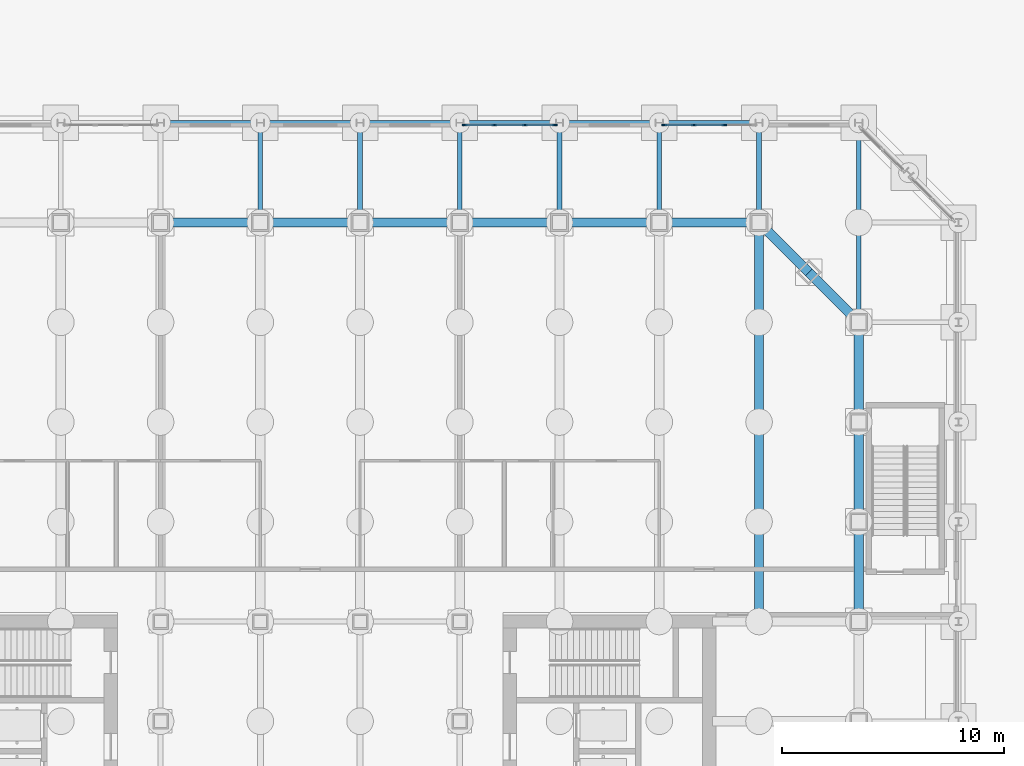
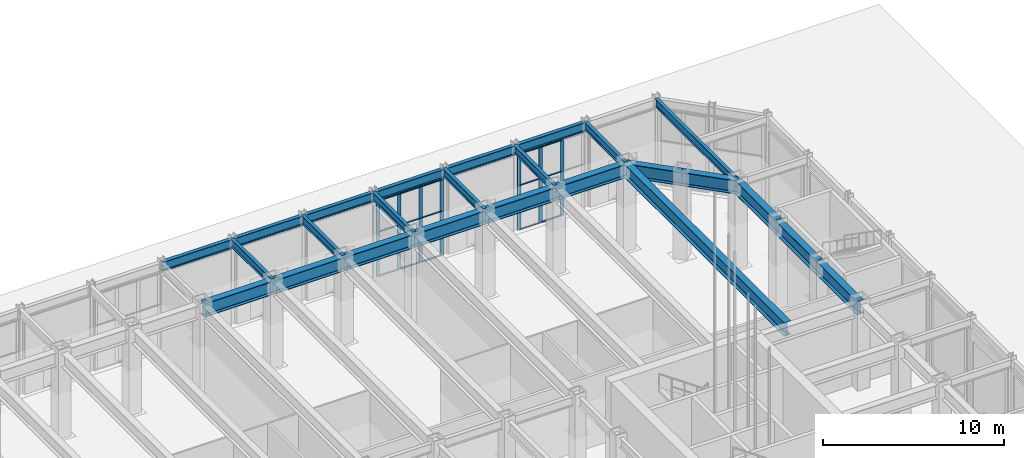
# One storey, part 11 of 39: 25 beams, 22 members, 2 elements without a shape of their own.
"""IFC4 building model written with IfcOpenShell, lengths in metres."""

import ifcopenshell
import ifcopenshell.guid

model = None  # the IFC model being written
_history = None  # IfcOwnerHistory: only IFC2X3 demands one
_inside = {}  # id of a spatial element -> (the spatial element, [elements in it])
_under = {}  # id of a project, library or spatial element -> (it, [spatial elements below it])
_declared = {}  # id of a project -> (the project, [libraries it declares])
_typed = {}  # id of a type object -> (the type object, [elements of that type])
_made_of = {}  # id of a material, layer set ... -> (it, [elements and type objects made of it])


def new_model(schema):
    """Start an empty IFC model of exactly this schema.

    Asked for "IFC4X3", IfcOpenShell would pick the latest addendum, in which some entities
    have other attributes; the version numbers below select the first issue.
    IFC2X3 requires an IfcOwnerHistory on every rooted entity: one is made here for all.
    """
    global model, _history
    if schema == "IFC4X3":
        model = ifcopenshell.file(schema_version=(4, 3, 0, 0))
    else:
        model = ifcopenshell.file(schema=schema)
    _inside.clear()
    _under.clear()
    _declared.clear()
    _typed.clear()
    _made_of.clear()
    _history = None
    if model.schema == "IFC2X3":
        org = make("IfcOrganization", Name="unknown")
        user = make(
            "IfcPersonAndOrganization",
            ThePerson=make("IfcPerson", FamilyName="unknown"),
            TheOrganization=org,
        )
        app = make(
            "IfcApplication",
            ApplicationDeveloper=org,
            Version="unknown",
            ApplicationFullName="unknown",
            ApplicationIdentifier="unknown",
        )
        _history = make(
            "IfcOwnerHistory",
            OwningUser=user,
            OwningApplication=app,
            ChangeAction="ADDED",
            CreationDate=0,
        )
    return model


def make(cls, **values):
    """One entity of the class cls with the attributes given. An attribute that is None is left unset."""
    return model.create_entity(
        cls, **{name: value for name, value in values.items() if value is not None}
    )


def rooted(cls, **values):
    """An entity with a GlobalId (a new one), such as an element, a storey or a relation."""
    return make(cls, GlobalId=ifcopenshell.guid.new(), OwnerHistory=_history, **values)


def si_unit(unit_type, name, prefix=None):
    """IfcSIUnit, for example si_unit("LENGTHUNIT", "METRE", prefix="MILLI")."""
    return make("IfcSIUnit", UnitType=unit_type, Prefix=prefix, Name=name)


def assignment(units):
    """IfcUnitAssignment: the units of a project."""
    return None if units is None else make("IfcUnitAssignment", Units=units)


def point(xyz):
    """IfcCartesianPoint."""
    return None if xyz is None else make("IfcCartesianPoint", Coordinates=xyz)


def direction(xyz):
    """IfcDirection."""
    return None if xyz is None else make("IfcDirection", DirectionRatios=xyz)


def frame(location, z_axis=None, x_axis=None):
    """IfcAxis2Placement3D, a coordinate frame: its origin and axes. An axis left out is left unset."""
    return make(
        "IfcAxis2Placement3D",
        Location=point(location),
        Axis=direction(z_axis),
        RefDirection=direction(x_axis),
    )


def frame_2d(location, x_axis=None):
    """IfcAxis2Placement2D, a coordinate frame in the plane: its origin and x axis."""
    return make(
        "IfcAxis2Placement2D", Location=point(location), RefDirection=direction(x_axis)
    )


def origin():
    """The frame at (0, 0, 0) with its axes left unset."""
    return frame((0.0, 0.0, 0.0))


def origin_2d():
    """The frame at (0, 0) in the plane with its x axis left unset."""
    return frame_2d((0.0, 0.0))


def place(relative_to, where):
    """IfcLocalPlacement: puts the frame where relative to a parent placement (None: the world)."""
    return make(
        "IfcLocalPlacement", PlacementRelTo=relative_to, RelativePlacement=where
    )


def context(
    kind, dimensions, precision=None, world=None, true_north=None, identifier=None
):
    """IfcGeometricRepresentationContext, for example the 3D "Model" context."""
    return make(
        "IfcGeometricRepresentationContext",
        ContextIdentifier=identifier,
        ContextType=kind,
        CoordinateSpaceDimension=dimensions,
        Precision=precision,
        WorldCoordinateSystem=world,
        TrueNorth=true_north,
    )


def subcontext(parent, identifier, kind, view, scale=None):
    """IfcGeometricRepresentationSubContext, for example "Body" below "Model"."""
    return make(
        "IfcGeometricRepresentationSubContext",
        ContextIdentifier=identifier,
        ContextType=kind,
        ParentContext=parent,
        TargetScale=scale,
        TargetView=view,
    )


def project(units=None, contexts=None):
    """IfcProject with its units and contexts."""
    return rooted(
        "IfcProject",
        Name="project",
        RepresentationContexts=contexts,
        UnitsInContext=assignment(units),
    )


def spatial(cls, under=None, at=None, **own):
    """A site, building, storey or space (cls), placed at a placement, below another one or the project."""
    s = rooted(cls, ObjectPlacement=at, **own)
    if under is not None:
        _under.setdefault(under.id(), (under, []))[1].append(s)
    return s


def profile(cls, at=None, kind="AREA", **sizes):
    """A parametric profile (cls). Its sizes go by their IFC names, for example OverallWidth=200.0."""
    return make(cls, ProfileType=kind, Position=at, **sizes)


def rectangle(**sizes):
    """IfcRectangleProfileDef."""
    return profile("IfcRectangleProfileDef", **sizes)


def i_section(**sizes):
    """IfcIShapeProfileDef."""
    return profile("IfcIShapeProfileDef", **sizes)


def extrude(swept, where, along, depth):
    """IfcExtrudedAreaSolid: the profile swept, set in the frame where, extruded along a direction by depth."""
    return make(
        "IfcExtrudedAreaSolid",
        SweptArea=swept,
        Position=where,
        ExtrudedDirection=direction(along),
        Depth=depth,
    )


def shape(context_of_items, identifier, shape_type, items):
    """IfcShapeRepresentation: the items that make up one representation, for example the "Body"."""
    return make(
        "IfcShapeRepresentation",
        ContextOfItems=context_of_items,
        RepresentationIdentifier=identifier,
        RepresentationType=shape_type,
        Items=items,
    )


def material(Name=None, Category=None):
    """IfcMaterial."""
    return make("IfcMaterial", Name=Name, Category=Category)


def material_profile(
    of_material, cross_section, Name=None, Category=None, Priority=None
):
    """IfcMaterialProfile: a cross section and its material."""
    return make(
        "IfcMaterialProfile",
        Name=Name,
        Material=of_material,
        Profile=cross_section,
        Priority=Priority,
        Category=Category,
    )


def profile_set(profiles, Name=None, composite=None):
    """IfcMaterialProfileSet."""
    return make(
        "IfcMaterialProfileSet",
        Name=Name,
        MaterialProfiles=profiles,
        CompositeProfile=composite,
    )


def made_of(thing, what):
    """Note that an element or type object is made of a material, layer set ...; save() writes the relation."""
    if what is not None:
        _made_of.setdefault(what.id(), (what, []))[1].append(thing)
    return thing


def type_object(cls, material=None, **own):
    """A type object (cls), such as IfcWallType, which elements share."""
    return made_of(rooted(cls, **own), material)


def element(
    cls,
    number,
    at=None,
    inside=None,
    cuts=None,
    type_object=None,
    material=None,
    context=None,
    identifier="Body",
    shape_type=None,
    held_by="IfcProductDefinitionShape",
    body=None,
    shapes=None,
    **own,
):
    """One element of the class cls, such as IfcWall. Its Tag is "e" and its number.

    at: its placement. inside: the storey or other place that contains it. cuts: it is an
    opening in that element (IfcRelVoidsElement). A single representation is given by context,
    identifier, shape_type and body (its items); several are given by shapes. held_by: the class
    of the entity that holds the representations. save() writes the other relations.
    """
    e = rooted(cls, Tag="e%d" % number, ObjectPlacement=at, **own)
    if body is not None:
        shapes = [shape(context, identifier, shape_type, body)]
    if shapes is not None:
        e.Representation = make(held_by, Representations=shapes)
    if inside is not None:
        _inside.setdefault(inside.id(), (inside, []))[1].append(e)
    if cuts is not None:
        rooted(
            "IfcRelVoidsElement", RelatingBuildingElement=cuts, RelatedOpeningElement=e
        )
    if type_object is not None:
        _typed.setdefault(type_object.id(), (type_object, []))[1].append(e)
    return made_of(e, material)


def aggregate(whole, parts):
    """IfcRelAggregates: a whole, such as a stair, and the parts it consists of."""
    return rooted("IfcRelAggregates", RelatingObject=whole, RelatedObjects=parts)


def save(model, path):
    """Write the relations noted so far, then the file.

    IfcRelAggregates (storeys below a building ...), IfcRelContainedInSpatialStructure (elements
    in a storey), IfcRelDefinesByType, IfcRelAssociatesMaterial and IfcRelDeclares: one each for
    every whole, place, type object, material and project.
    """
    for whole, parts in _under.values():
        aggregate(whole, parts)
    for where, things in _inside.values():
        rooted(
            "IfcRelContainedInSpatialStructure",
            RelatedElements=things,
            RelatingStructure=where,
        )
    for kind, things in _typed.values():
        rooted("IfcRelDefinesByType", RelatedObjects=things, RelatingType=kind)
    for what, things in _made_of.values():
        rooted("IfcRelAssociatesMaterial", RelatedObjects=things, RelatingMaterial=what)
    for by, libraries in _declared.values():
        rooted("IfcRelDeclares", RelatingContext=by, RelatedDefinitions=libraries)
    model.write(path)


model = new_model("IFC4")

# Units and contexts
model_context = context("Model", 3, precision=1e-05, world=origin(), true_north=direction((0.0, 1.0)))
body_context = subcontext(model_context, "Body", "Model", "MODEL_VIEW")
ifc_project = project(units=[si_unit("LENGTHUNIT", "METRE"), si_unit("AREAUNIT", "SQUARE_METRE"), si_unit("VOLUMEUNIT", "CUBIC_METRE"), si_unit("PLANEANGLEUNIT", "RADIAN"), si_unit("MASSUNIT", "GRAM", prefix="KILO")], contexts=[model_context])

# Site, building, storey
site_placement = place(None, origin())
site = spatial("IfcSite", under=ifc_project, at=site_placement, CompositionType="ELEMENT")
building_placement = place(site_placement, origin())
building = spatial("IfcBuilding", under=site, at=building_placement, Name="Msasa Ring Tower", CompositionType="ELEMENT")
storey_placement = place(building_placement, origin())
storey = spatial("IfcBuildingStorey", under=building, at=storey_placement, Name="L00", CompositionType="ELEMENT", Elevation=0.0)

# Curtain wall, members
ifc_material_1 = material(Name="Aluminium curtain wall with clear glass", Category="aluminium")
curtain_wall_type = type_object("IfcCurtainWallType", Name="CW-F PLAZA SHOPFRONT CURTAIN WALL", PredefinedType="NOTDEFINED", material=ifc_material_1)
curtain_wall_1_placement = place(storey_placement, origin())
curtain_wall_1 = element("IfcCurtainWall", 1, at=curtain_wall_1_placement, inside=storey, type_object=curtain_wall_type, Name="Plaza shopfront curtain wall N L00 33", PredefinedType="NOTDEFINED")
ifc_material_2 = material(Name="Aluminium mullion", Category="aluminium")
ifc_material_profile_1 = material_profile(ifc_material_2, rectangle(XDim=0.054931640625, YDim=0.22509765625, at=origin_2d()), Name="AL 55x225")
ifc_profile_set_1 = profile_set([ifc_material_profile_1], Name="Aluminium mullion")
member_type_1 = type_object("IfcMemberType", Name="CW-F MULLION 55x225", PredefinedType="MULLION", material=ifc_profile_set_1)
member_1_placement = place(storey_placement, frame((6.965087890625, 29.14990234375, 0.0), z_axis=(0.0, 0.0, 1.0), x_axis=(0.0, 1.0, 0.0)))
member_1 = element("IfcMember", 2, at=member_1_placement, type_object=member_type_1, Name="CW-F mullion 1", PredefinedType="MULLION", context=body_context, shape_type="SweptSolid", body=[
    extrude(rectangle(XDim=0.054931640625, YDim=0.22509765625, at=origin_2d()), origin(), (0.0, 0.0, 1.0), 5.1328125),
])
member_2_placement = place(storey_placement, frame((8.3125, 29.14990234375, 0.0), z_axis=(0.0, 0.0, 1.0), x_axis=(0.0, 1.0, 0.0)))
member_2 = element("IfcMember", 3, at=member_2_placement, type_object=member_type_1, Name="CW-F mullion 2", PredefinedType="MULLION", context=body_context, shape_type="SweptSolid", body=[
    extrude(rectangle(XDim=0.054931640625, YDim=0.22509765625, at=origin_2d()), origin(), (0.0, 0.0, 1.0), 5.1328125),
])
member_3_placement = place(storey_placement, frame((9.6875, 29.14990234375, 0.0), z_axis=(0.0, 0.0, 1.0), x_axis=(0.0, 1.0, 0.0)))
member_3 = element("IfcMember", 4, at=member_3_placement, type_object=member_type_1, Name="CW-F mullion 3", PredefinedType="MULLION", context=body_context, shape_type="SweptSolid", body=[
    extrude(rectangle(XDim=0.054931640625, YDim=0.22509765625, at=origin_2d()), origin(), (0.0, 0.0, 1.0), 5.1328125),
])
member_4_placement = place(storey_placement, frame((11.034912109375, 29.14990234375, 0.0), z_axis=(0.0, 0.0, 1.0), x_axis=(0.0, 1.0, 0.0)))
member_4 = element("IfcMember", 5, at=member_4_placement, type_object=member_type_1, Name="CW-F mullion 4", PredefinedType="MULLION", context=body_context, shape_type="SweptSolid", body=[
    extrude(rectangle(XDim=0.054931640625, YDim=0.22509765625, at=origin_2d()), origin(), (0.0, 0.0, 1.0), 5.1328125),
])

curtain_wall_2_placement = place(storey_placement, origin())
curtain_wall_2 = element("IfcCurtainWall", 6, at=curtain_wall_2_placement, inside=storey, type_object=curtain_wall_type, Name="Plaza shopfront curtain wall N L00 35", PredefinedType="NOTDEFINED")
member_5_placement = place(storey_placement, frame((15.965087890625, 29.14990234375, 0.0), z_axis=(0.0, 0.0, 1.0), x_axis=(0.0, 1.0, 0.0)))
member_5 = element("IfcMember", 7, at=member_5_placement, type_object=member_type_1, Name="CW-F mullion 1", PredefinedType="MULLION", context=body_context, shape_type="SweptSolid", body=[
    extrude(rectangle(XDim=0.054931640625, YDim=0.22509765625, at=origin_2d()), origin(), (0.0, 0.0, 1.0), 5.1328125),
])
member_6_placement = place(storey_placement, frame((17.3125, 29.14990234375, 0.0), z_axis=(0.0, 0.0, 1.0), x_axis=(0.0, 1.0, 0.0)))
member_6 = element("IfcMember", 8, at=member_6_placement, type_object=member_type_1, Name="CW-F mullion 2", PredefinedType="MULLION", context=body_context, shape_type="SweptSolid", body=[
    extrude(rectangle(XDim=0.054931640625, YDim=0.22509765625, at=origin_2d()), origin(), (0.0, 0.0, 1.0), 5.1328125),
])
member_7_placement = place(storey_placement, frame((18.6875, 29.14990234375, 0.0), z_axis=(0.0, 0.0, 1.0), x_axis=(0.0, 1.0, 0.0)))
member_7 = element("IfcMember", 9, at=member_7_placement, type_object=member_type_1, Name="CW-F mullion 3", PredefinedType="MULLION", context=body_context, shape_type="SweptSolid", body=[
    extrude(rectangle(XDim=0.054931640625, YDim=0.22509765625, at=origin_2d()), origin(), (0.0, 0.0, 1.0), 5.1328125),
])

# Member
ifc_material_3 = material(Name="Aluminium transom", Category="aluminium")
ifc_material_profile_2 = material_profile(ifc_material_3, rectangle(XDim=0.110107421875, YDim=0.054931640625, at=origin_2d()), Name="AL 55x110")
ifc_profile_set_2 = profile_set([ifc_material_profile_2], Name="Aluminium transom")
member_type_2 = type_object("IfcMemberType", Name="CW-F TRANSOM 55x110", PredefinedType="USERDEFINED", material=ifc_profile_set_2)
member_8_placement = place(storey_placement, frame((6.99267578125, 29.14990234375, 0.027587890625), z_axis=(1.0, 0.0, 0.0), x_axis=(0.0, 1.0, 0.0)))
member_8 = element("IfcMember", 10, at=member_8_placement, type_object=member_type_2, Name="CW-F transom 1.1", ObjectType="TRANSOM", PredefinedType="USERDEFINED", context=body_context, shape_type="SweptSolid", body=[
    extrude(rectangle(XDim=0.110107421875, YDim=0.054931640625, at=origin_2d()), origin(), (0.0, 0.0, 1.0), 1.292236328125),
])

member_9_placement = place(storey_placement, frame((6.99267578125, 29.14990234375, 3.0), z_axis=(1.0, 0.0, 0.0), x_axis=(0.0, 1.0, 0.0)))
member_9 = element("IfcMember", 11, at=member_9_placement, type_object=member_type_2, Name="CW-F transom 1.2", ObjectType="TRANSOM", PredefinedType="USERDEFINED", context=body_context, shape_type="SweptSolid", body=[
    extrude(rectangle(XDim=0.110107421875, YDim=0.054931640625, at=origin_2d()), origin(), (0.0, 0.0, 1.0), 1.292236328125),
])

member_10_placement = place(storey_placement, frame((6.99267578125, 29.14990234375, 5.105224609375), z_axis=(1.0, 0.0, 0.0), x_axis=(0.0, 1.0, 0.0)))
member_10 = element("IfcMember", 12, at=member_10_placement, type_object=member_type_2, Name="CW-F transom 1.3", ObjectType="TRANSOM", PredefinedType="USERDEFINED", context=body_context, shape_type="SweptSolid", body=[
    extrude(rectangle(XDim=0.110107421875, YDim=0.054931640625, at=origin_2d()), origin(), (0.0, 0.0, 1.0), 1.292236328125),
])

member_11_placement = place(storey_placement, frame((8.340087890625, 29.14990234375, 0.027587890625), z_axis=(1.0, 0.0, 0.0), x_axis=(0.0, 1.0, 0.0)))
member_11 = element("IfcMember", 13, at=member_11_placement, type_object=member_type_2, Name="CW-F transom 2.1", ObjectType="TRANSOM", PredefinedType="USERDEFINED", context=body_context, shape_type="SweptSolid", body=[
    extrude(rectangle(XDim=0.110107421875, YDim=0.054931640625, at=origin_2d()), origin(), (0.0, 0.0, 1.0), 1.31982421875),
])

member_12_placement = place(storey_placement, frame((8.340087890625, 29.14990234375, 3.0), z_axis=(1.0, 0.0, 0.0), x_axis=(0.0, 1.0, 0.0)))
member_12 = element("IfcMember", 14, at=member_12_placement, type_object=member_type_2, Name="CW-F transom 2.2", ObjectType="TRANSOM", PredefinedType="USERDEFINED", context=body_context, shape_type="SweptSolid", body=[
    extrude(rectangle(XDim=0.110107421875, YDim=0.054931640625, at=origin_2d()), origin(), (0.0, 0.0, 1.0), 1.31982421875),
])

member_13_placement = place(storey_placement, frame((8.340087890625, 29.14990234375, 5.105224609375), z_axis=(1.0, 0.0, 0.0), x_axis=(0.0, 1.0, 0.0)))
member_13 = element("IfcMember", 15, at=member_13_placement, type_object=member_type_2, Name="CW-F transom 2.3", ObjectType="TRANSOM", PredefinedType="USERDEFINED", context=body_context, shape_type="SweptSolid", body=[
    extrude(rectangle(XDim=0.110107421875, YDim=0.054931640625, at=origin_2d()), origin(), (0.0, 0.0, 1.0), 1.31982421875),
])

member_14_placement = place(storey_placement, frame((9.715087890625, 29.14990234375, 0.027587890625), z_axis=(1.0, 0.0, 0.0), x_axis=(0.0, 1.0, 0.0)))
member_14 = element("IfcMember", 16, at=member_14_placement, type_object=member_type_2, Name="CW-F transom 3.1", ObjectType="TRANSOM", PredefinedType="USERDEFINED", context=body_context, shape_type="SweptSolid", body=[
    extrude(rectangle(XDim=0.110107421875, YDim=0.054931640625, at=origin_2d()), origin(), (0.0, 0.0, 1.0), 1.292236328125),
])

member_15_placement = place(storey_placement, frame((9.715087890625, 29.14990234375, 3.0), z_axis=(1.0, 0.0, 0.0), x_axis=(0.0, 1.0, 0.0)))
member_15 = element("IfcMember", 17, at=member_15_placement, type_object=member_type_2, Name="CW-F transom 3.2", ObjectType="TRANSOM", PredefinedType="USERDEFINED", context=body_context, shape_type="SweptSolid", body=[
    extrude(rectangle(XDim=0.110107421875, YDim=0.054931640625, at=origin_2d()), origin(), (0.0, 0.0, 1.0), 1.292236328125),
])

member_16_placement = place(storey_placement, frame((9.715087890625, 29.14990234375, 5.105224609375), z_axis=(1.0, 0.0, 0.0), x_axis=(0.0, 1.0, 0.0)))
member_16 = element("IfcMember", 18, at=member_16_placement, type_object=member_type_2, Name="CW-F transom 3.3", ObjectType="TRANSOM", PredefinedType="USERDEFINED", context=body_context, shape_type="SweptSolid", body=[
    extrude(rectangle(XDim=0.110107421875, YDim=0.054931640625, at=origin_2d()), origin(), (0.0, 0.0, 1.0), 1.292236328125),
])

aggregate(curtain_wall_1, [member_1, member_2, member_3, member_4, member_8, member_9, member_10, member_11, member_12, member_13, member_14, member_15, member_16])

member_17_placement = place(storey_placement, frame((15.99267578125, 29.14990234375, 0.027587890625), z_axis=(1.0, 0.0, 0.0), x_axis=(0.0, 1.0, 0.0)))
member_17 = element("IfcMember", 19, at=member_17_placement, type_object=member_type_2, Name="CW-F transom 1.1", ObjectType="TRANSOM", PredefinedType="USERDEFINED", context=body_context, shape_type="SweptSolid", body=[
    extrude(rectangle(XDim=0.110107421875, YDim=0.054931640625, at=origin_2d()), origin(), (0.0, 0.0, 1.0), 1.292236328125),
])

member_18_placement = place(storey_placement, frame((15.99267578125, 29.14990234375, 3.0), z_axis=(1.0, 0.0, 0.0), x_axis=(0.0, 1.0, 0.0)))
member_18 = element("IfcMember", 20, at=member_18_placement, type_object=member_type_2, Name="CW-F transom 1.2", ObjectType="TRANSOM", PredefinedType="USERDEFINED", context=body_context, shape_type="SweptSolid", body=[
    extrude(rectangle(XDim=0.110107421875, YDim=0.054931640625, at=origin_2d()), origin(), (0.0, 0.0, 1.0), 1.292236328125),
])

member_19_placement = place(storey_placement, frame((15.99267578125, 29.14990234375, 5.105224609375), z_axis=(1.0, 0.0, 0.0), x_axis=(0.0, 1.0, 0.0)))
member_19 = element("IfcMember", 21, at=member_19_placement, type_object=member_type_2, Name="CW-F transom 1.3", ObjectType="TRANSOM", PredefinedType="USERDEFINED", context=body_context, shape_type="SweptSolid", body=[
    extrude(rectangle(XDim=0.110107421875, YDim=0.054931640625, at=origin_2d()), origin(), (0.0, 0.0, 1.0), 1.292236328125),
])

member_20_placement = place(storey_placement, frame((17.340087890625, 29.14990234375, 0.027587890625), z_axis=(1.0, 0.0, 0.0), x_axis=(0.0, 1.0, 0.0)))
member_20 = element("IfcMember", 22, at=member_20_placement, type_object=member_type_2, Name="CW-F transom 2.1", ObjectType="TRANSOM", PredefinedType="USERDEFINED", context=body_context, shape_type="SweptSolid", body=[
    extrude(rectangle(XDim=0.110107421875, YDim=0.054931640625, at=origin_2d()), origin(), (0.0, 0.0, 1.0), 1.31982421875),
])

member_21_placement = place(storey_placement, frame((17.340087890625, 29.14990234375, 3.0), z_axis=(1.0, 0.0, 0.0), x_axis=(0.0, 1.0, 0.0)))
member_21 = element("IfcMember", 23, at=member_21_placement, type_object=member_type_2, Name="CW-F transom 2.2", ObjectType="TRANSOM", PredefinedType="USERDEFINED", context=body_context, shape_type="SweptSolid", body=[
    extrude(rectangle(XDim=0.110107421875, YDim=0.054931640625, at=origin_2d()), origin(), (0.0, 0.0, 1.0), 1.31982421875),
])

member_22_placement = place(storey_placement, frame((17.340087890625, 29.14990234375, 5.105224609375), z_axis=(1.0, 0.0, 0.0), x_axis=(0.0, 1.0, 0.0)))
member_22 = element("IfcMember", 24, at=member_22_placement, type_object=member_type_2, Name="CW-F transom 2.3", ObjectType="TRANSOM", PredefinedType="USERDEFINED", context=body_context, shape_type="SweptSolid", body=[
    extrude(rectangle(XDim=0.110107421875, YDim=0.054931640625, at=origin_2d()), origin(), (0.0, 0.0, 1.0), 1.31982421875),
])

aggregate(curtain_wall_2, [member_5, member_6, member_7, member_17, member_18, member_19, member_20, member_21, member_22])

# Beams
ifc_material_4 = material(Name="Steel S355", Category="steel")
ifc_material_profile_3 = material_profile(ifc_material_4, i_section(OverallWidth=0.41845703125, OverallDepth=0.911865234375, WebThickness=0.019287109375, FlangeThickness=0.031982421875, FilletRadius=0.024169921875, at=origin_2d()), Name="UB 914x419x343")
ifc_profile_set_3 = profile_set([ifc_material_profile_3], Name="Steel S355")
beam_type_1 = type_object("IfcBeamType", Name="FB1 UB 914x419x343", PredefinedType="BEAM", material=ifc_profile_set_3)
beam_1_placement = place(storey_placement, frame((20.25, 24.75, 5.294189453125), z_axis=(0.0, -1.0, 0.0), x_axis=(1.0, 0.0, 0.0)))
element("IfcBeam", 25, at=beam_1_placement, inside=storey, type_object=beam_type_1, Name="Floor beam N+20.25 under L01", PredefinedType="BEAM", context=body_context, shape_type="SweptSolid", body=[
    extrude(i_section(OverallWidth=0.41845703125, OverallDepth=0.911865234375, WebThickness=0.019287109375, FlangeThickness=0.031982421875, FilletRadius=0.024169921875, at=origin_2d()), origin(), (0.0, 0.0, 1.0), 17.789794921875),
])
ifc_material_5 = material(Name="Steel S355", Category="steel")
ifc_material_profile_4 = material_profile(ifc_material_5, i_section(OverallWidth=0.2119140625, OverallDepth=0.54443359375, WebThickness=0.0126953125, FlangeThickness=0.021240234375, FilletRadius=0.0126953125, at=origin_2d()), Name="UB 533x210x122")
ifc_profile_set_4 = profile_set([ifc_material_profile_4], Name="Steel S355")
beam_type_2 = type_object("IfcBeamType", Name="PB1 UB 533x210x122", PredefinedType="BEAM", material=ifc_profile_set_4)
for number, where, z_axis, x_axis, name in (
    (26, (-2.25, 29.25, 5.477783203125), (0.0, -1.0, 0.0), (1.0, 0.0, 0.0), "Podium beam N-2.25 under L01"),
    (27, (2.25, 29.25, 5.477783203125), (0.0, -1.0, 0.0), (1.0, 0.0, 0.0), "Podium beam N+2.25 under L01"),
    (28, (6.75, 29.25, 5.477783203125), (0.0, -1.0, 0.0), (1.0, 0.0, 0.0), "Podium beam N+6.75 under L01"),
    (29, (11.25, 29.25, 5.477783203125), (0.0, -1.0, 0.0), (1.0, 0.0, 0.0), "Podium beam N+11.25 under L01"),
    (30, (15.75, 29.25, 5.477783203125), (0.0, -1.0, 0.0), (1.0, 0.0, 0.0), "Podium beam N+15.75 under L01"),
    (31, (20.25, 29.25, 5.477783203125), (0.0, -1.0, 0.0), (1.0, 0.0, 0.0), "Podium beam N+20.25 under L01"),
):
    element("IfcBeam", number, at=place(storey_placement, frame(where, z_axis=z_axis, x_axis=x_axis)), inside=storey, type_object=beam_type_2, Name=name, PredefinedType="BEAM", context=body_context, shape_type="SweptSolid", body=[
        extrude(i_section(OverallWidth=0.2119140625, OverallDepth=0.54443359375, WebThickness=0.0126953125, FlangeThickness=0.021240234375, FilletRadius=0.0126953125, at=origin_2d()), origin(), (0.0, 0.0, 1.0), 4.5),
    ])
beam_2_placement = place(storey_placement, frame((24.75, 29.25, 5.477783203125), z_axis=(0.0, -1.0, 0.0), x_axis=(1.0, 0.0, 0.0)))
element("IfcBeam", 32, at=beam_2_placement, inside=storey, type_object=beam_type_2, Name="Podium beam N+24.75 under L01", PredefinedType="BEAM", context=body_context, shape_type="SweptSolid", body=[
    extrude(i_section(OverallWidth=0.2119140625, OverallDepth=0.54443359375, WebThickness=0.0126953125, FlangeThickness=0.021240234375, FilletRadius=0.0126953125, at=origin_2d()), origin(), (0.0, 0.0, 1.0), 9.0),
])
ifc_material_6 = material(Name="Steel S355", Category="steel")
ifc_material_profile_5 = material_profile(ifc_material_6, i_section(OverallWidth=0.42041015625, OverallDepth=0.9208984375, WebThickness=0.021484375, FlangeThickness=0.03662109375, FilletRadius=0.024169921875, at=origin_2d()), Name="UB 914x419x388")
ifc_profile_set_5 = profile_set([ifc_material_profile_5], Name="Steel S355")
beam_type_3 = type_object("IfcBeamType", Name="SB1 UB 914x419x388", PredefinedType="SPANDREL", material=ifc_profile_set_5)
for number, where, z_axis, x_axis, name in (
    (33, (24.75, 6.75, 5.28955078125), (0.0, 1.0, 0.0), (-1.0, 0.0, 0.0), "Spandrel E+6.75 to E+11.25 under L01"),
    (34, (24.75, 11.25, 5.28955078125), (0.0, 1.0, 0.0), (-1.0, 0.0, 0.0), "Spandrel E+11.25 to E+15.75 under L01"),
    (35, (24.75, 15.75, 5.28955078125), (0.0, 1.0, 0.0), (-1.0, 0.0, 0.0), "Spandrel E+15.75 to E+20.25 under L01"),
):
    element("IfcBeam", number, at=place(storey_placement, frame(where, z_axis=z_axis, x_axis=x_axis)), inside=storey, type_object=beam_type_3, Name=name, PredefinedType="SPANDREL", context=body_context, shape_type="SweptSolid", body=[
        extrude(i_section(OverallWidth=0.42041015625, OverallDepth=0.9208984375, WebThickness=0.021484375, FlangeThickness=0.03662109375, FilletRadius=0.024169921875, at=origin_2d()), origin(), (0.0, 0.0, 1.0), 4.5),
    ])
for number, where, z_axis, x_axis, name in (
    (36, (24.75, 20.25, 5.28955078125), (-0.707106781187, 0.707106781187, 0.0), (-0.707106781187, -0.707106781187, 0.0), "Spandrel E+20.25 to NE under L01"),
    (37, (22.5, 22.5, 5.28955078125), (-0.707106781187, 0.707106781187, 0.0), (-0.707106781187, -0.707106781187, 0.0), "Spandrel NE to N+20.25 under L01"),
):
    element("IfcBeam", number, at=place(storey_placement, frame(where, z_axis=z_axis, x_axis=x_axis)), inside=storey, type_object=beam_type_3, Name=name, PredefinedType="SPANDREL", context=body_context, shape_type="SweptSolid", body=[
        extrude(i_section(OverallWidth=0.42041015625, OverallDepth=0.9208984375, WebThickness=0.021484375, FlangeThickness=0.03662109375, FilletRadius=0.024169921875, at=origin_2d()), origin(), (0.0, 0.0, 1.0), 3.181884765625),
    ])
for number, where, z_axis, x_axis, name in (
    (38, (20.25, 24.75, 5.28955078125), (-1.0, 0.0, 0.0), (0.0, -1.0, 0.0), "Spandrel N+20.25 to N+15.75 under L01"),
    (39, (15.75, 24.75, 5.28955078125), (-1.0, 0.0, 0.0), (0.0, -1.0, 0.0), "Spandrel N+15.75 to N+11.25 under L01"),
    (40, (11.25, 24.75, 5.28955078125), (-1.0, 0.0, 0.0), (0.0, -1.0, 0.0), "Spandrel N+11.25 to N+6.75 under L01"),
    (41, (6.75, 24.75, 5.28955078125), (-1.0, 0.0, 0.0), (0.0, -1.0, 0.0), "Spandrel N+6.75 to N+2.25 under L01"),
    (42, (2.25, 24.75, 5.28955078125), (-1.0, 0.0, 0.0), (0.0, -1.0, 0.0), "Spandrel N+2.25 to N-2.25 under L01"),
    (43, (-2.25, 24.75, 5.28955078125), (-1.0, 0.0, 0.0), (0.0, -1.0, 0.0), "Spandrel N-2.25 to N-6.75 under L01"),
):
    element("IfcBeam", number, at=place(storey_placement, frame(where, z_axis=z_axis, x_axis=x_axis)), inside=storey, type_object=beam_type_3, Name=name, PredefinedType="SPANDREL", context=body_context, shape_type="SweptSolid", body=[
        extrude(i_section(OverallWidth=0.42041015625, OverallDepth=0.9208984375, WebThickness=0.021484375, FlangeThickness=0.03662109375, FilletRadius=0.024169921875, at=origin_2d()), origin(), (0.0, 0.0, 1.0), 4.5),
    ])
ifc_material_7 = material(Name="Steel S355", Category="steel")
ifc_material_profile_6 = material_profile(ifc_material_7, i_section(OverallWidth=0.230224609375, OverallDepth=0.6171875, WebThickness=0.01318359375, FlangeThickness=0.022216796875, FilletRadius=0.0126953125, at=origin_2d()), Name="UB 610x229x140")
ifc_profile_set_6 = profile_set([ifc_material_profile_6], Name="Steel S355")
beam_type_4 = type_object("IfcBeamType", Name="SB2 UB 610x229x140", PredefinedType="SPANDREL", material=ifc_profile_set_6)
for number, where, z_axis, x_axis, name in (
    (44, (20.25, 29.25, 5.44140625), (-1.0, 0.0, 0.0), (0.0, -1.0, 0.0), "Podium spandrel N+20.25 under L01"),
    (45, (15.75, 29.25, 5.44140625), (-1.0, 0.0, 0.0), (0.0, -1.0, 0.0), "Podium spandrel N+15.75 under L01"),
    (46, (11.25, 29.25, 5.44140625), (-1.0, 0.0, 0.0), (0.0, -1.0, 0.0), "Podium spandrel N+11.25 under L01"),
    (47, (6.75, 29.25, 5.44140625), (-1.0, 0.0, 0.0), (0.0, -1.0, 0.0), "Podium spandrel N+6.75 under L01"),
    (48, (2.25, 29.25, 5.44140625), (-1.0, 0.0, 0.0), (0.0, -1.0, 0.0), "Podium spandrel N+2.25 under L01"),
    (49, (-2.25, 29.25, 5.44140625), (-1.0, 0.0, 0.0), (0.0, -1.0, 0.0), "Podium spandrel N-2.25 under L01"),
):
    element("IfcBeam", number, at=place(storey_placement, frame(where, z_axis=z_axis, x_axis=x_axis)), inside=storey, type_object=beam_type_4, Name=name, PredefinedType="SPANDREL", context=body_context, shape_type="SweptSolid", body=[
        extrude(i_section(OverallWidth=0.230224609375, OverallDepth=0.6171875, WebThickness=0.01318359375, FlangeThickness=0.022216796875, FilletRadius=0.0126953125, at=origin_2d()), origin(), (0.0, 0.0, 1.0), 4.5),
    ])

save(model, "model.ifc")
